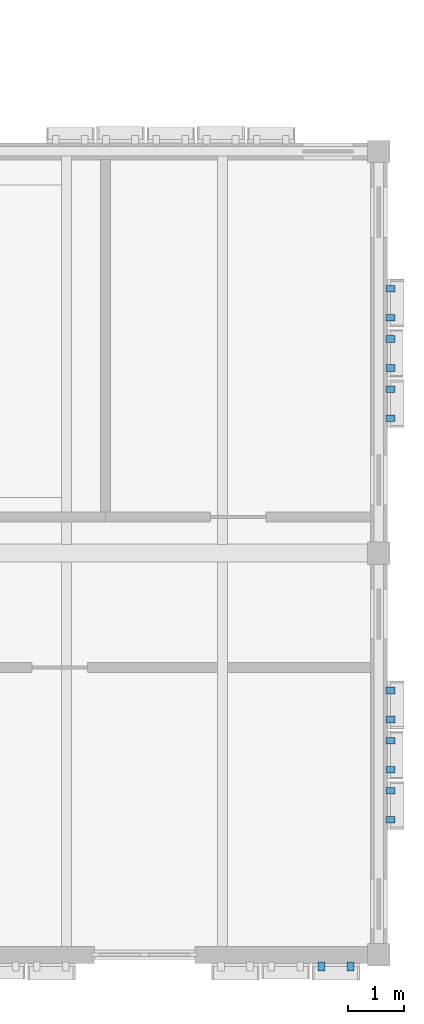
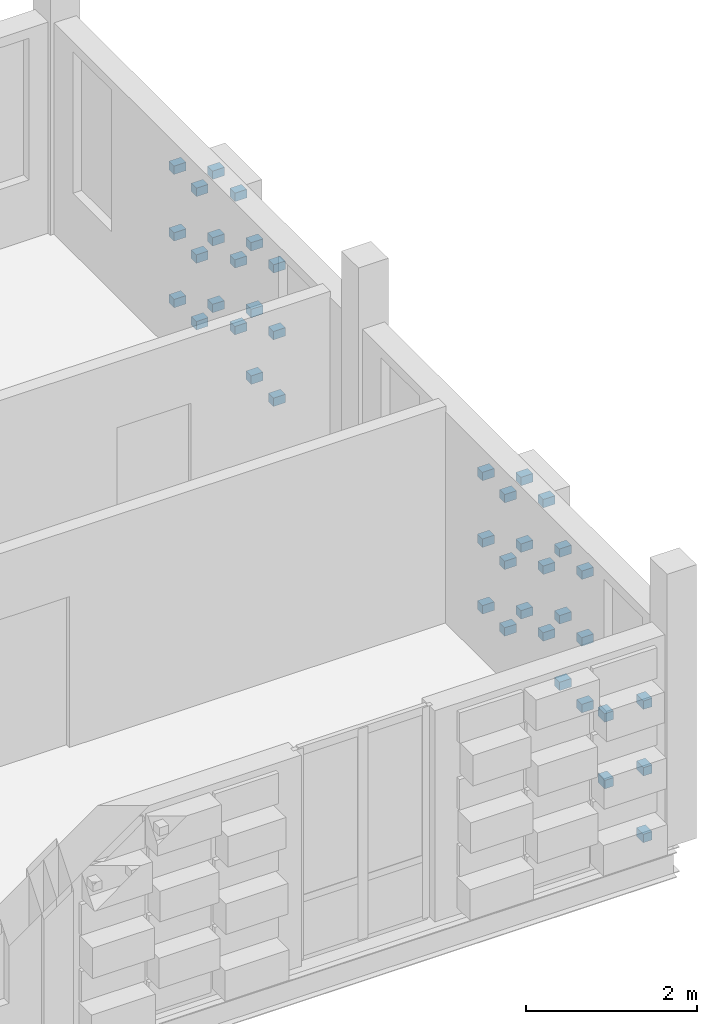
# One storey, part 51 of 57: 41 discrete accessories.
"""IFC4 building model written with IfcOpenShell, lengths in metres."""

from ifc_helpers import new_model, si_unit, direction, frame, origin, origin_2d, place, context, subcontext, project, spatial, rectangle, extrude, material, type_object, element, save


model = new_model("IFC4")

# Units and contexts
model_context = context("Model", 3, precision=1e-05, world=origin(), true_north=direction((0.0, 1.0)))
body_context = subcontext(model_context, "Body", "Model", "MODEL_VIEW")
ifc_project = project(units=[si_unit("LENGTHUNIT", "METRE"), si_unit("AREAUNIT", "SQUARE_METRE"), si_unit("VOLUMEUNIT", "CUBIC_METRE"), si_unit("PLANEANGLEUNIT", "RADIAN"), si_unit("MASSUNIT", "GRAM", prefix="KILO")], contexts=[model_context])

# Site, building, storey
site_placement = place(None, origin())
site = spatial("IfcSite", under=ifc_project, at=site_placement, CompositionType="ELEMENT")
building_placement = place(site_placement, origin())
building = spatial("IfcBuilding", under=site, at=building_placement, Name="Kahlenmark Community Centre", CompositionType="ELEMENT")
storey_placement = place(building_placement, frame((0.0, 0.0, 13.800048828125)))
storey = spatial("IfcBuildingStorey", under=building, at=storey_placement, Name="L03", CompositionType="ELEMENT", Elevation=13.800048828125)

# Discrete accessories
ifc_material = material(Name="Stainless steel 1.4401 rainscreen bracket", Category="steel")
discrete_accessory_type = type_object("IfcDiscreteAccessoryType", Name="DAT-BRACKET-TC", PredefinedType="BRACKET", material=ifc_material)
for number, where, z_axis, x_axis, name in (
    (1, (116.2900390625, 8.590087890625, 0.25732421875), (0.0, 0.0, 1.0), (1.0, 0.0, 0.0), "Terracotta cassette bracket 4286.2"),
    (2, (115.77001953125, 8.590087890625, 1.207275390625), (0.0, 0.0, 1.0), (1.0, 0.0, 0.0), "Terracotta cassette bracket 4288.1"),
    (3, (116.2900390625, 8.590087890625, 1.207275390625), (0.0, 0.0, 1.0), (1.0, 0.0, 0.0), "Terracotta cassette bracket 4288.2"),
    (4, (115.77001953125, 8.590087890625, 2.157470703125), (0.0, 0.0, 1.0), (1.0, 0.0, 0.0), "Terracotta cassette bracket 4290.1"),
    (5, (116.2900390625, 8.590087890625, 2.157470703125), (0.0, 0.0, 1.0), (1.0, 0.0, 0.0), "Terracotta cassette bracket 4290.2"),
    (6, (117.010009765625, 11.219970703125, 0.25732421875), (0.0, 0.0, 1.0), (0.0, 1.0, 0.0), "Terracotta cassette bracket 4436.1"),
    (7, (117.010009765625, 11.739990234375, 0.25732421875), (0.0, 0.0, 1.0), (0.0, 1.0, 0.0), "Terracotta cassette bracket 4436.2"),
    (8, (117.010009765625, 11.219970703125, 1.207275390625), (0.0, 0.0, 1.0), (0.0, 1.0, 0.0), "Terracotta cassette bracket 4438.1"),
    (9, (117.010009765625, 11.739990234375, 1.207275390625), (0.0, 0.0, 1.0), (0.0, 1.0, 0.0), "Terracotta cassette bracket 4438.2"),
    (10, (117.010009765625, 11.219970703125, 2.157470703125), (0.0, 0.0, 1.0), (0.0, 1.0, 0.0), "Terracotta cassette bracket 4440.1"),
    (11, (117.010009765625, 11.739990234375, 2.157470703125), (0.0, 0.0, 1.0), (0.0, 1.0, 0.0), "Terracotta cassette bracket 4440.2"),
    (12, (117.010009765625, 12.1201171875, 0.732421875), (0.0, 0.0, 1.0), (0.0, 1.0, 0.0), "Terracotta cassette bracket 4443.1"),
    (13, (117.010009765625, 12.639892578125, 0.732421875), (0.0, 0.0, 1.0), (0.0, 1.0, 0.0), "Terracotta cassette bracket 4443.2"),
    (14, (117.010009765625, 12.1201171875, 1.682373046875), (0.0, 0.0, 1.0), (0.0, 1.0, 0.0), "Terracotta cassette bracket 4445.1"),
    (15, (117.010009765625, 12.639892578125, 1.682373046875), (0.0, 0.0, 1.0), (0.0, 1.0, 0.0), "Terracotta cassette bracket 4445.2"),
    (16, (117.010009765625, 12.1201171875, 2.63232421875), (0.0, 0.0, 1.0), (0.0, 1.0, 0.0), "Terracotta cassette bracket 4447.1"),
    (17, (117.010009765625, 12.639892578125, 2.63232421875), (0.0, 0.0, 1.0), (0.0, 1.0, 0.0), "Terracotta cassette bracket 4447.2"),
    (18, (117.010009765625, 13.02001953125, 0.25732421875), (0.0, 0.0, 1.0), (0.0, 1.0, 0.0), "Terracotta cassette bracket 4448.1"),
    (19, (117.010009765625, 13.5400390625, 0.25732421875), (0.0, 0.0, 1.0), (0.0, 1.0, 0.0), "Terracotta cassette bracket 4448.2"),
    (20, (117.010009765625, 13.02001953125, 1.207275390625), (0.0, 0.0, 1.0), (0.0, 1.0, 0.0), "Terracotta cassette bracket 4450.1"),
    (21, (117.010009765625, 13.5400390625, 1.207275390625), (0.0, 0.0, 1.0), (0.0, 1.0, 0.0), "Terracotta cassette bracket 4450.2"),
    (22, (117.010009765625, 13.02001953125, 2.157470703125), (0.0, 0.0, 1.0), (0.0, 1.0, 0.0), "Terracotta cassette bracket 4452.1"),
    (23, (117.010009765625, 13.5400390625, 2.157470703125), (0.0, 0.0, 1.0), (0.0, 1.0, 0.0), "Terracotta cassette bracket 4452.2"),
    (24, (117.010009765625, 18.419921875, 0.25732421875), (0.0, 0.0, 1.0), (0.0, 1.0, 0.0), "Terracotta cassette bracket 4454.1"),
    (25, (117.010009765625, 18.93994140625, 0.25732421875), (0.0, 0.0, 1.0), (0.0, 1.0, 0.0), "Terracotta cassette bracket 4454.2"),
    (26, (117.010009765625, 18.419921875, 1.207275390625), (0.0, 0.0, 1.0), (0.0, 1.0, 0.0), "Terracotta cassette bracket 4456.1"),
    (27, (117.010009765625, 18.93994140625, 1.207275390625), (0.0, 0.0, 1.0), (0.0, 1.0, 0.0), "Terracotta cassette bracket 4456.2"),
    (28, (117.010009765625, 18.419921875, 2.157470703125), (0.0, 0.0, 1.0), (0.0, 1.0, 0.0), "Terracotta cassette bracket 4458.1"),
    (29, (117.010009765625, 18.93994140625, 2.157470703125), (0.0, 0.0, 1.0), (0.0, 1.0, 0.0), "Terracotta cassette bracket 4458.2"),
    (30, (117.010009765625, 19.320068359375, 0.732421875), (0.0, 0.0, 1.0), (0.0, 1.0, 0.0), "Terracotta cassette bracket 4461.1"),
    (31, (117.010009765625, 19.840087890625, 0.732421875), (0.0, 0.0, 1.0), (0.0, 1.0, 0.0), "Terracotta cassette bracket 4461.2"),
    (32, (117.010009765625, 19.320068359375, 1.682373046875), (0.0, 0.0, 1.0), (0.0, 1.0, 0.0), "Terracotta cassette bracket 4463.1"),
    (33, (117.010009765625, 19.840087890625, 1.682373046875), (0.0, 0.0, 1.0), (0.0, 1.0, 0.0), "Terracotta cassette bracket 4463.2"),
    (34, (117.010009765625, 19.320068359375, 2.63232421875), (0.0, 0.0, 1.0), (0.0, 1.0, 0.0), "Terracotta cassette bracket 4465.1"),
    (35, (117.010009765625, 19.840087890625, 2.63232421875), (0.0, 0.0, 1.0), (0.0, 1.0, 0.0), "Terracotta cassette bracket 4465.2"),
    (36, (117.010009765625, 20.219970703125, 0.25732421875), (0.0, 0.0, 1.0), (0.0, 1.0, 0.0), "Terracotta cassette bracket 4466.1"),
    (37, (117.010009765625, 20.739990234375, 0.25732421875), (0.0, 0.0, 1.0), (0.0, 1.0, 0.0), "Terracotta cassette bracket 4466.2"),
    (38, (117.010009765625, 20.219970703125, 1.207275390625), (0.0, 0.0, 1.0), (0.0, 1.0, 0.0), "Terracotta cassette bracket 4468.1"),
    (39, (117.010009765625, 20.739990234375, 1.207275390625), (0.0, 0.0, 1.0), (0.0, 1.0, 0.0), "Terracotta cassette bracket 4468.2"),
    (40, (117.010009765625, 20.219970703125, 2.157470703125), (0.0, 0.0, 1.0), (0.0, 1.0, 0.0), "Terracotta cassette bracket 4470.1"),
    (41, (117.010009765625, 20.739990234375, 2.157470703125), (0.0, 0.0, 1.0), (0.0, 1.0, 0.0), "Terracotta cassette bracket 4470.2"),
):
    element("IfcDiscreteAccessory", number, at=place(storey_placement, frame(where, z_axis=z_axis, x_axis=x_axis)), inside=storey, type_object=discrete_accessory_type, Name=name, PredefinedType="BRACKET", context=body_context, shape_type="SweptSolid", body=[
        extrude(rectangle(XDim=0.1201171875, YDim=0.159912109375, at=origin_2d()), origin(), (0.0, 0.0, 1.0), 0.1201171875),
    ])

save(model, "model.ifc")
